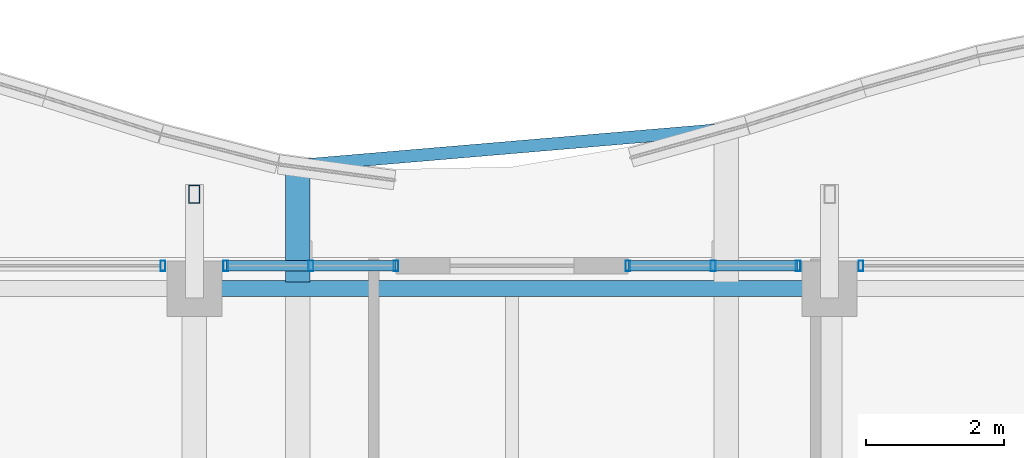
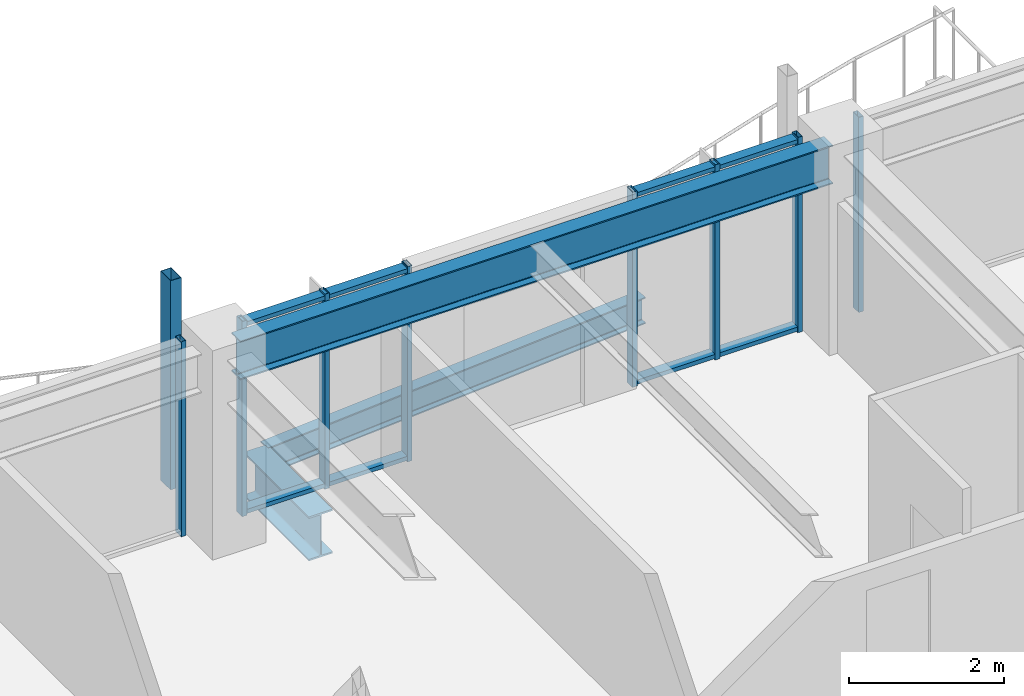
# One storey, part 20 of 38: 13 members, 3 beams, 4 elements without a shape of their own.
"""IFC4 building model written with IfcOpenShell, lengths in metres."""

from ifc_helpers import new_model, si_unit, direction, frame, origin, origin_2d, place, context, subcontext, project, spatial, hollow_rectangle, i_section, extrude, material, material_profile, profile_set, type_object, element, aggregate, save


model = new_model("IFC4")

# Units and contexts
model_context = context("Model", 3, precision=1e-05, world=origin(), true_north=direction((0.0, 1.0)))
body_context = subcontext(model_context, "Body", "Model", "MODEL_VIEW")
ifc_project = project(units=[si_unit("LENGTHUNIT", "METRE"), si_unit("AREAUNIT", "SQUARE_METRE"), si_unit("VOLUMEUNIT", "CUBIC_METRE"), si_unit("PLANEANGLEUNIT", "RADIAN"), si_unit("MASSUNIT", "GRAM", prefix="KILO")], contexts=[model_context])

# Site, building, storey
site_placement = place(None, origin())
site = spatial("IfcSite", under=ifc_project, at=site_placement, CompositionType="ELEMENT")
building_placement = place(site_placement, origin())
building = spatial("IfcBuilding", under=site, at=building_placement, Name="Kolvaren Belvedere", CompositionType="ELEMENT")
storey_placement = place(building_placement, frame((0.0, 0.0, 213.0)))
storey = spatial("IfcBuildingStorey", under=building, at=storey_placement, Name="L62", CompositionType="ELEMENT", Elevation=213.0)

# Beams
ifc_material_1 = material(Name="Structural steel ASTM A992 Grade 50", Category="steel")
ifc_material_profile_1 = material_profile(ifc_material_1, i_section(OverallWidth=0.35498046875, OverallDepth=0.696044921875, WebThickness=0.015380859375, FlangeThickness=0.02490234375, FilletRadius=0.02197265625, at=origin_2d()), Name="W27X146")
ifc_profile_set_1 = profile_set([ifc_material_profile_1], Name="Structural steel ASTM A992 Grade 50")
beam_type_1 = type_object("IfcBeamType", Name="BM-CANT-BAL", PredefinedType="BEAM", material=ifc_profile_set_1)
beam_1_placement = place(storey_placement, frame((-3.10009765625, 20.044921875, -0.568115234375), z_axis=(0.0, 1.0, 0.0), x_axis=(-1.0, 0.0, 0.0)))
element("IfcBeam", 1, at=beam_1_placement, inside=storey, type_object=beam_type_1, Name="L62 Planted Balcony Cantilever BAL-N-1", PredefinedType="BEAM", context=body_context, shape_type="SweptSolid", body=[
    extrude(i_section(OverallWidth=0.35498046875, OverallDepth=0.696044921875, WebThickness=0.015380859375, FlangeThickness=0.02490234375, FilletRadius=0.02197265625, at=origin_2d()), origin(), (0.0, 0.0, 1.0), 1.6875),
])
ifc_material_2 = material(Name="Structural steel ASTM A992 Grade 50", Category="steel")
ifc_material_profile_2 = material_profile(ifc_material_2, i_section(OverallWidth=0.180908203125, OverallDepth=0.4169921875, WebThickness=0.010986328125, FlangeThickness=0.018310546875, FilletRadius=0.013916015625, at=origin_2d()), Name="W16X57")
ifc_profile_set_2 = profile_set([ifc_material_profile_2], Name="Structural steel ASTM A992 Grade 50")
beam_type_2 = type_object("IfcBeamType", Name="BM-EDGE-W16X57", PredefinedType="BEAM", material=ifc_profile_set_2)
beam_2_placement = place(storey_placement, frame((-2.96044921875, 21.744140625, -0.428466796875), z_axis=(0.996415343973, 0.08459587635, 0.0), x_axis=(-0.08459587635, 0.996415343973, 0.0)))
element("IfcBeam", 2, at=beam_2_placement, inside=storey, type_object=beam_type_2, Name="L62 Balcony Tip Header Beam BAL-N", PredefinedType="BEAM", context=body_context, shape_type="SweptSolid", body=[
    extrude(i_section(OverallWidth=0.180908203125, OverallDepth=0.4169921875, WebThickness=0.010986328125, FlangeThickness=0.018310546875, FilletRadius=0.013916015625, at=origin_2d()), origin(), (0.0, 0.0, 1.0), 5.942138671875),
])
ifc_material_3 = material(Name="Structural steel ASTM A992 Grade 50", Category="steel")
ifc_material_profile_3 = material_profile(ifc_material_3, i_section(OverallWidth=0.22900390625, OverallDepth=0.612060546875, WebThickness=0.011962890625, FlangeThickness=0.01953125, FilletRadius=0.01806640625, at=origin_2d()), Name="W24X84")
ifc_profile_set_3 = profile_set([ifc_material_profile_3], Name="Structural steel ASTM A992 Grade 50")
beam_type_3 = type_object("IfcBeamType", Name="BM-SPAN-W24X84", PredefinedType="SPANDREL", material=ifc_profile_set_3)
beam_3_placement = place(storey_placement, frame((4.419921875, 19.949951171875, 2.77392578125), z_axis=(-1.0, 0.0, 0.0), x_axis=(0.0, -1.0, 0.0)))
element("IfcBeam", 3, at=beam_3_placement, inside=storey, type_object=beam_type_3, Name="L62 Perimeter Spandrel N3-N2", PredefinedType="SPANDREL", context=body_context, shape_type="SweptSolid", body=[
    extrude(i_section(OverallWidth=0.22900390625, OverallDepth=0.612060546875, WebThickness=0.011962890625, FlangeThickness=0.01953125, FilletRadius=0.01806640625, at=origin_2d()), origin(), (0.0, 0.0, 1.0), 8.83984375),
])

# Curtain wall, member
ifc_material_4 = material(Name="Anodised pale-metal aluminium AA 6063-T6", Category="aluminium")
curtain_wall_type = type_object("IfcCurtainWallType", Name="CW-Z5-HIGH", PredefinedType="NOTDEFINED", material=ifc_material_4)
curtain_wall_1_placement = place(storey_placement, origin())
curtain_wall_1 = element("IfcCurtainWall", 4, at=curtain_wall_1_placement, inside=storey, type_object=curtain_wall_type, Name="L62 Unitised Curtain Wall FCW-L62-N1-B1", PredefinedType="NOTDEFINED")
ifc_material_5 = material(Name="Anodised pale-metal aluminium AA 6063-T6", Category="aluminium")
ifc_material_profile_4 = material_profile(ifc_material_5, hollow_rectangle(XDim=0.070068359375, YDim=0.14990234375, WallThickness=0.004150390625, at=origin_2d()), Name="ALU-MUL-150X70")
ifc_profile_set_4 = profile_set([ifc_material_profile_4], Name="Anodised pale-metal aluminium AA 6063-T6")
member_type_1 = type_object("IfcMemberType", Name="CW-MUL-150", PredefinedType="MULLION", material=ifc_profile_set_4)
member_1_placement = place(storey_placement, frame((-5.054931640625, 20.280029296875, 0.0), z_axis=(0.0, 0.0, 1.0), x_axis=(1.0, 0.0, 0.0)))
member_1 = element("IfcMember", 5, at=member_1_placement, type_object=member_type_1, Name="FCW-L62-N1-B1 Unitised Mullion 3", PredefinedType="MULLION", context=body_context, shape_type="SweptSolid", body=[
    extrude(hollow_rectangle(XDim=0.070068359375, YDim=0.14990234375, WallThickness=0.004150390625, at=origin_2d()), origin(), (0.0, 0.0, 1.0), 3.080078125),
])
aggregate(curtain_wall_1, [member_1])

# Curtain wall, members
curtain_wall_2_placement = place(storey_placement, origin())
curtain_wall_2 = element("IfcCurtainWall", 6, at=curtain_wall_2_placement, inside=storey, type_object=curtain_wall_type, Name="L62 Unitised Curtain Wall FCW-L62-N1-B2", PredefinedType="NOTDEFINED")
member_2_placement = place(storey_placement, frame((-4.14501953125, 20.280029296875, 0.0), z_axis=(0.0, 0.0, 1.0), x_axis=(1.0, 0.0, 0.0)))
member_2 = element("IfcMember", 7, at=member_2_placement, type_object=member_type_1, Name="FCW-L62-N1-B2 Unitised Mullion 1", PredefinedType="MULLION", context=body_context, shape_type="SweptSolid", body=[
    extrude(hollow_rectangle(XDim=0.070068359375, YDim=0.14990234375, WallThickness=0.004150390625, at=origin_2d()), origin(), (0.0, 0.0, 1.0), 3.080078125),
])
member_3_placement = place(storey_placement, frame((-2.91259765625, 20.280029296875, 0.0), z_axis=(0.0, 0.0, 1.0), x_axis=(1.0, 0.0, 0.0)))
member_3 = element("IfcMember", 8, at=member_3_placement, type_object=member_type_1, Name="FCW-L62-N1-B2 Unitised Mullion 2", PredefinedType="MULLION", context=body_context, shape_type="SweptSolid", body=[
    extrude(hollow_rectangle(XDim=0.070068359375, YDim=0.14990234375, WallThickness=0.004150390625, at=origin_2d()), origin(), (0.0, 0.0, 1.0), 3.080078125),
])
member_4_placement = place(storey_placement, frame((-1.679931640625, 20.280029296875, 0.0), z_axis=(0.0, 0.0, 1.0), x_axis=(1.0, 0.0, 0.0)))
member_4 = element("IfcMember", 9, at=member_4_placement, type_object=member_type_1, Name="FCW-L62-N1-B2 Unitised Mullion 3", PredefinedType="MULLION", context=body_context, shape_type="SweptSolid", body=[
    extrude(hollow_rectangle(XDim=0.070068359375, YDim=0.14990234375, WallThickness=0.004150390625, at=origin_2d()), origin(), (0.0, 0.0, 1.0), 3.080078125),
])

curtain_wall_3_placement = place(storey_placement, origin())
curtain_wall_3 = element("IfcCurtainWall", 10, at=curtain_wall_3_placement, inside=storey, type_object=curtain_wall_type, Name="L62 Unitised Curtain Wall FCW-L62-N2-B1", PredefinedType="NOTDEFINED")
member_5_placement = place(storey_placement, frame((1.679931640625, 20.280029296875, 0.0), z_axis=(0.0, 0.0, 1.0), x_axis=(1.0, 0.0, 0.0)))
member_5 = element("IfcMember", 11, at=member_5_placement, type_object=member_type_1, Name="FCW-L62-N2-B1 Unitised Mullion 1", PredefinedType="MULLION", context=body_context, shape_type="SweptSolid", body=[
    extrude(hollow_rectangle(XDim=0.070068359375, YDim=0.14990234375, WallThickness=0.004150390625, at=origin_2d()), origin(), (0.0, 0.0, 1.0), 3.080078125),
])
member_6_placement = place(storey_placement, frame((2.91259765625, 20.280029296875, 0.0), z_axis=(0.0, 0.0, 1.0), x_axis=(1.0, 0.0, 0.0)))
member_6 = element("IfcMember", 12, at=member_6_placement, type_object=member_type_1, Name="FCW-L62-N2-B1 Unitised Mullion 2", PredefinedType="MULLION", context=body_context, shape_type="SweptSolid", body=[
    extrude(hollow_rectangle(XDim=0.070068359375, YDim=0.14990234375, WallThickness=0.004150390625, at=origin_2d()), origin(), (0.0, 0.0, 1.0), 3.080078125),
])
member_7_placement = place(storey_placement, frame((4.14501953125, 20.280029296875, 0.0), z_axis=(0.0, 0.0, 1.0), x_axis=(1.0, 0.0, 0.0)))
member_7 = element("IfcMember", 13, at=member_7_placement, type_object=member_type_1, Name="FCW-L62-N2-B1 Unitised Mullion 3", PredefinedType="MULLION", context=body_context, shape_type="SweptSolid", body=[
    extrude(hollow_rectangle(XDim=0.070068359375, YDim=0.14990234375, WallThickness=0.004150390625, at=origin_2d()), origin(), (0.0, 0.0, 1.0), 3.080078125),
])

# Curtain wall, member
curtain_wall_4_placement = place(storey_placement, origin())
curtain_wall_4 = element("IfcCurtainWall", 14, at=curtain_wall_4_placement, inside=storey, type_object=curtain_wall_type, Name="L62 Unitised Curtain Wall FCW-L62-N2-B2", PredefinedType="NOTDEFINED")
member_8_placement = place(storey_placement, frame((5.054931640625, 20.280029296875, 0.0), z_axis=(0.0, 0.0, 1.0), x_axis=(1.0, 0.0, 0.0)))
member_8 = element("IfcMember", 15, at=member_8_placement, type_object=member_type_1, Name="FCW-L62-N2-B2 Unitised Mullion 1", PredefinedType="MULLION", context=body_context, shape_type="SweptSolid", body=[
    extrude(hollow_rectangle(XDim=0.070068359375, YDim=0.14990234375, WallThickness=0.004150390625, at=origin_2d()), origin(), (0.0, 0.0, 1.0), 3.080078125),
])
aggregate(curtain_wall_4, [member_8])

# Member
ifc_material_6 = material(Name="Anodised pale-metal aluminium AA 6063-T6", Category="aluminium")
ifc_material_profile_5 = material_profile(ifc_material_6, hollow_rectangle(XDim=0.06494140625, YDim=0.14990234375, WallThickness=0.00390625, at=origin_2d()), Name="ALU-TRN-150X65")
ifc_profile_set_5 = profile_set([ifc_material_profile_5], Name="Anodised pale-metal aluminium AA 6063-T6")
member_type_2 = type_object("IfcMemberType", Name="CW-TRN-150", PredefinedType="USERDEFINED", material=ifc_profile_set_5)
member_9_placement = place(storey_placement, frame((-4.14501953125, 20.280029296875, 0.06005859375), z_axis=(1.0, 0.0, 0.0), x_axis=(0.0, 0.0, 1.0)))
member_9 = element("IfcMember", 16, at=member_9_placement, type_object=member_type_2, Name="FCW-L62-N1-B2 Sill Transom", ObjectType="TRANSOM", PredefinedType="USERDEFINED", context=body_context, shape_type="SweptSolid", body=[
    extrude(hollow_rectangle(XDim=0.06494140625, YDim=0.14990234375, WallThickness=0.00390625, at=origin_2d()), origin(), (0.0, 0.0, 1.0), 2.465087890625),
])

member_10_placement = place(storey_placement, frame((-4.14501953125, 20.280029296875, 3.02001953125), z_axis=(1.0, 0.0, 0.0), x_axis=(0.0, 0.0, 1.0)))
member_10 = element("IfcMember", 17, at=member_10_placement, type_object=member_type_2, Name="FCW-L62-N1-B2 Head Transom", ObjectType="TRANSOM", PredefinedType="USERDEFINED", context=body_context, shape_type="SweptSolid", body=[
    extrude(hollow_rectangle(XDim=0.06494140625, YDim=0.14990234375, WallThickness=0.00390625, at=origin_2d()), origin(), (0.0, 0.0, 1.0), 2.465087890625),
])

aggregate(curtain_wall_2, [member_2, member_3, member_4, member_9, member_10])

member_11_placement = place(storey_placement, frame((1.679931640625, 20.280029296875, 0.06005859375), z_axis=(1.0, 0.0, 0.0), x_axis=(0.0, 0.0, 1.0)))
member_11 = element("IfcMember", 18, at=member_11_placement, type_object=member_type_2, Name="FCW-L62-N2-B1 Sill Transom", ObjectType="TRANSOM", PredefinedType="USERDEFINED", context=body_context, shape_type="SweptSolid", body=[
    extrude(hollow_rectangle(XDim=0.06494140625, YDim=0.14990234375, WallThickness=0.00390625, at=origin_2d()), origin(), (0.0, 0.0, 1.0), 2.465087890625),
])

member_12_placement = place(storey_placement, frame((1.679931640625, 20.280029296875, 3.02001953125), z_axis=(1.0, 0.0, 0.0), x_axis=(0.0, 0.0, 1.0)))
member_12 = element("IfcMember", 19, at=member_12_placement, type_object=member_type_2, Name="FCW-L62-N2-B1 Head Transom", ObjectType="TRANSOM", PredefinedType="USERDEFINED", context=body_context, shape_type="SweptSolid", body=[
    extrude(hollow_rectangle(XDim=0.06494140625, YDim=0.14990234375, WallThickness=0.00390625, at=origin_2d()), origin(), (0.0, 0.0, 1.0), 2.465087890625),
])

aggregate(curtain_wall_3, [member_5, member_6, member_7, member_11, member_12])

ifc_material_7 = material(Name="Anodised pale-metal aluminium AA 6063-T6", Category="aluminium")
ifc_material_profile_6 = material_profile(ifc_material_7, hollow_rectangle(XDim=0.159912109375, YDim=0.260009765625, WallThickness=0.006591796875, at=origin_2d()), Name="ALU-PF-260X160")
ifc_profile_set_6 = profile_set([ifc_material_profile_6], Name="Anodised pale-metal aluminium AA 6063-T6")
member_type_3 = type_object("IfcMemberType", Name="PF-FRAME-260", PredefinedType="USERDEFINED", material=ifc_profile_set_6)
member_13_placement = place(storey_placement, frame((-4.60009765625, 21.320068359375, 0.0), z_axis=(0.0, 0.0, 1.0), x_axis=(1.0, 0.0, 0.0)))
element("IfcMember", 20, at=member_13_placement, inside=storey, type_object=member_type_3, Name="L62 Outboard Picture-Frame Vertical N1", ObjectType="PICTURE FRAME FIN", PredefinedType="USERDEFINED", context=body_context, shape_type="SweptSolid", body=[
    extrude(hollow_rectangle(XDim=0.159912109375, YDim=0.260009765625, WallThickness=0.006591796875, at=origin_2d()), origin(), (0.0, 0.0, 1.0), 3.300048828125),
])

save(model, "model.ifc")
